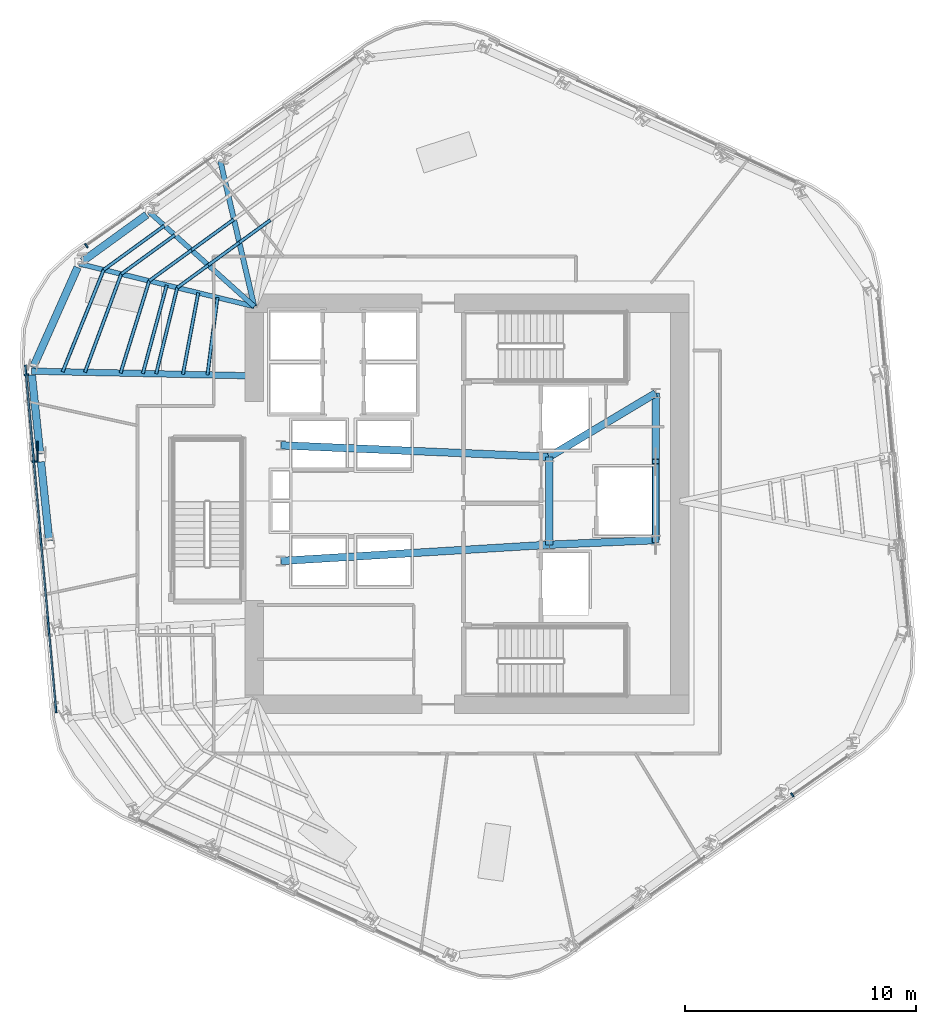
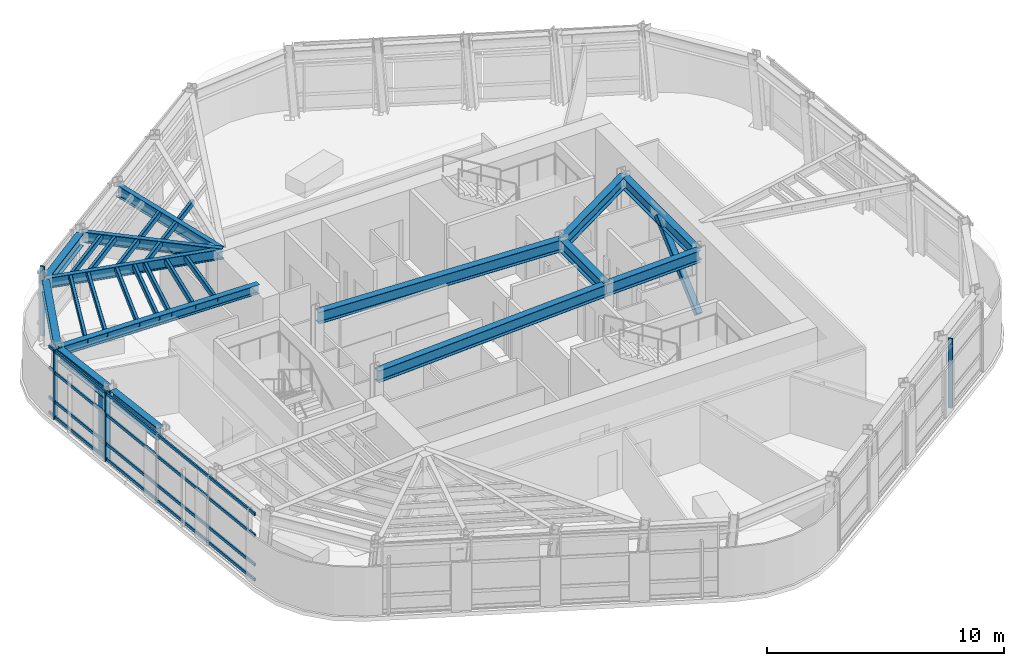
# One storey, part 4 of 14: 24 members, 14 beams, 3 elements without a shape of their own.
"""IFC4 building model written with IfcOpenShell, lengths in metres."""

from ifc_helpers import new_model, si_unit, direction, frame, origin, origin_2d, place, context, subcontext, project, spatial, rectangle, hollow_rectangle, i_section, extrude, material, layer, layer_set, material_profile, profile_set, type_object, element, aggregate, save


model = new_model("IFC4")

# Units and contexts
model_context = context("Model", 3, precision=1e-05, world=origin(), true_north=direction((0.0, 1.0)))
body_context = subcontext(model_context, "Body", "Model", "MODEL_VIEW")
ifc_project = project(units=[si_unit("LENGTHUNIT", "METRE"), si_unit("AREAUNIT", "SQUARE_METRE"), si_unit("VOLUMEUNIT", "CUBIC_METRE"), si_unit("PLANEANGLEUNIT", "RADIAN"), si_unit("MASSUNIT", "GRAM", prefix="KILO")], contexts=[model_context])

# Site, building, storey
site_placement = place(None, origin())
site = spatial("IfcSite", under=ifc_project, at=site_placement, CompositionType="ELEMENT")
building_placement = place(site_placement, origin())
building = spatial("IfcBuilding", under=site, at=building_placement, Name="Valkerne Bourse Tower", CompositionType="ELEMENT")
storey_placement = place(building_placement, frame((0.0, 0.0, 174.199951171875)))
storey = spatial("IfcBuildingStorey", under=building, at=storey_placement, Name="L44", CompositionType="ELEMENT", Elevation=174.199951171875)

# Beams
ifc_material_1 = material(Name="Steel ASTM A992", Category="steel")
ifc_material_profile_1 = material_profile(ifc_material_1, i_section(OverallWidth=0.279296875, OverallDepth=0.46240234375, WebThickness=0.0107421875, FlangeThickness=0.017333984375, FilletRadius=0.017822265625, at=origin_2d()), Name="W18X76")
ifc_profile_set_1 = profile_set([ifc_material_profile_1], Name="Steel ASTM A992")
beam_type_1 = type_object("IfcBeamType", Name="BM-W18X76", PredefinedType="BEAM", material=ifc_profile_set_1)
beam_1_placement = place(storey_placement, frame((27.9677734375, 32.604248046875, 3.348876953125), z_axis=(0.999775046748, -0.021209806715, 0.0), x_axis=(0.021209806715, 0.999775046748, 0.0)))
element("IfcBeam", 1, at=beam_1_placement, inside=storey, type_object=beam_type_1, Name="L44 Radial Composite Floor Beam 10", PredefinedType="BEAM", context=body_context, shape_type="SweptSolid", body=[
    extrude(i_section(OverallWidth=0.279296875, OverallDepth=0.46240234375, WebThickness=0.0107421875, FlangeThickness=0.017333984375, FilletRadius=0.017822265625, at=origin_2d()), origin(), (0.0, 0.0, 1.0), 9.634521484375),
])
ifc_material_profile_2 = material_profile(ifc_material_1, i_section(OverallWidth=0.209228515625, OverallDepth=0.533447265625, WebThickness=0.01025390625, FlangeThickness=0.015625, FilletRadius=0.017822265625, at=origin_2d()), Name="W21X62")
ifc_profile_set_2 = profile_set([ifc_material_profile_2], Name="Steel ASTM A992")
beam_type_2 = type_object("IfcBeamType", Name="BM-W21X62", PredefinedType="JOIST", material=ifc_profile_set_2)
beam_2_placement = place(storey_placement, frame((30.0341796875, 37.2451171875, 3.313232421875), z_axis=(0.971524211148, -0.236940302932, 0.0), x_axis=(0.236940302932, 0.971524211148, 0.0)))
element("IfcBeam", 2, at=beam_2_placement, inside=storey, type_object=beam_type_2, Name="L44 Radial Composite Floor Beam 09", PredefinedType="JOIST", context=body_context, shape_type="SweptSolid", body=[
    extrude(i_section(OverallWidth=0.209228515625, OverallDepth=0.533447265625, WebThickness=0.01025390625, FlangeThickness=0.015625, FilletRadius=0.017822265625, at=origin_2d()), origin(), (0.0, 0.0, 1.0), 7.78759765625),
])
ifc_material_profile_3 = material_profile(ifc_material_1, i_section(OverallWidth=0.2138671875, OverallDepth=0.548583984375, WebThickness=0.0146484375, FlangeThickness=0.023681640625, FilletRadius=0.017822265625, at=origin_2d()), Name="W21X93")
ifc_profile_set_3 = profile_set([ifc_material_profile_3], Name="Steel ASTM A992")
beam_type_3 = type_object("IfcBeamType", Name="BM-W21X93", PredefinedType="BEAM", material=ifc_profile_set_3)
beam_3_placement = place(storey_placement, frame((33.0849609375, 39.461669921875, 3.3056640625), z_axis=(0.743446040497, -0.66879592169, 0.0), x_axis=(0.66879592169, 0.743446040497, 0.0)))
element("IfcBeam", 3, at=beam_3_placement, inside=storey, type_object=beam_type_3, Name="L44 Radial Composite Floor Beam 08", PredefinedType="BEAM", context=body_context, shape_type="SweptSolid", body=[
    extrude(i_section(OverallWidth=0.2138671875, OverallDepth=0.548583984375, WebThickness=0.0146484375, FlangeThickness=0.023681640625, FilletRadius=0.017822265625, at=origin_2d()), origin(), (0.0, 0.0, 1.0), 6.0732421875),
])
ifc_material_profile_4 = material_profile(ifc_material_1, i_section(OverallWidth=0.3251953125, OverallDepth=0.612060546875, WebThickness=0.0126953125, FlangeThickness=0.01904296875, FilletRadius=0.020263671875, at=origin_2d()), Name="W24X104")
ifc_profile_set_4 = profile_set([ifc_material_profile_4], Name="Steel ASTM A992")
beam_type_4 = type_object("IfcBeamType", Name="BM-W24X104", PredefinedType="BEAM", material=ifc_profile_set_4)
beam_4_placement = place(storey_placement, frame((50.35009765625, 25.10009765625, 3.274169921875), z_axis=(0.0, 1.0, 0.0), x_axis=(-1.0, 0.0, 0.0)))
element("IfcBeam", 4, at=beam_4_placement, inside=storey, type_object=beam_type_4, Name="L44 Core Frame Girder CG-CE", PredefinedType="BEAM", context=body_context, shape_type="SweptSolid", body=[
    extrude(i_section(OverallWidth=0.3251953125, OverallDepth=0.612060546875, WebThickness=0.0126953125, FlangeThickness=0.01904296875, FilletRadius=0.020263671875, at=origin_2d()), origin(), (0.0, 0.0, 1.0), 3.7998046875),
])
beam_5_placement = place(storey_placement, frame((50.35009765625, 25.10009765625, 3.274169921875), z_axis=(0.999056558506, 0.043428019819, 0.0), x_axis=(-0.043428019819, 0.999056558506, 0.0)))
element("IfcBeam", 5, at=beam_5_placement, inside=storey, type_object=beam_type_4, Name="L44 Core Frame Girder CG-SE", PredefinedType="BEAM", context=body_context, shape_type="SweptSolid", body=[
    extrude(i_section(OverallWidth=0.3251953125, OverallDepth=0.612060546875, WebThickness=0.0126953125, FlangeThickness=0.01904296875, FilletRadius=0.020263671875, at=origin_2d()), origin(), (0.0, 0.0, 1.0), 4.604248046875),
])
beam_6_placement = place(storey_placement, frame((50.35009765625, 28.89990234375, 3.274169921875), z_axis=(0.858307823492, 0.513135148019, 0.0), x_axis=(-0.513135148019, 0.858307823492, 0.0)))
element("IfcBeam", 6, at=beam_6_placement, inside=storey, type_object=beam_type_4, Name="L44 Core Frame Girder CG-NE", PredefinedType="BEAM", context=body_context, shape_type="SweptSolid", body=[
    extrude(i_section(OverallWidth=0.3251953125, OverallDepth=0.612060546875, WebThickness=0.0126953125, FlangeThickness=0.01904296875, FilletRadius=0.020263671875, at=origin_2d()), origin(), (0.0, 0.0, 1.0), 5.359130859375),
])
beam_7_placement = place(storey_placement, frame((54.949951171875, 25.300048828125, 3.274169921875), z_axis=(0.0, 1.0, 0.0), x_axis=(-1.0, 0.0, 0.0)))
element("IfcBeam", 7, at=beam_7_placement, inside=storey, type_object=beam_type_4, Name="L44 Core Frame Girder CG-EE", PredefinedType="BEAM", context=body_context, shape_type="SweptSolid", body=[
    extrude(i_section(OverallWidth=0.3251953125, OverallDepth=0.612060546875, WebThickness=0.0126953125, FlangeThickness=0.01904296875, FilletRadius=0.020263671875, at=origin_2d()), origin(), (0.0, 0.0, 1.0), 6.349853515625),
])
beam_8_placement = place(storey_placement, frame((38.75, 24.39990234375, 3.274169921875), z_axis=(0.998183228389, 0.060251494276, 0.0), x_axis=(-0.060251494276, 0.998183228389, 0.0)))
element("IfcBeam", 8, at=beam_8_placement, inside=storey, type_object=beam_type_4, Name="L44 Core Frame Girder CG-SW", PredefinedType="BEAM", context=body_context, shape_type="SweptSolid", body=[
    extrude(i_section(OverallWidth=0.3251953125, OverallDepth=0.612060546875, WebThickness=0.0126953125, FlangeThickness=0.01904296875, FilletRadius=0.020263671875, at=origin_2d()), origin(), (0.0, 0.0, 1.0), 11.62109375),
])
beam_9_placement = place(storey_placement, frame((38.75, 29.39990234375, 3.274169921875), z_axis=(0.999072354402, -0.043063101019, 0.0), x_axis=(0.043063101019, 0.999072354402, 0.0)))
element("IfcBeam", 9, at=beam_9_placement, inside=storey, type_object=beam_type_4, Name="L44 Core Frame Girder CG-NW", PredefinedType="BEAM", context=body_context, shape_type="SweptSolid", body=[
    extrude(i_section(OverallWidth=0.3251953125, OverallDepth=0.612060546875, WebThickness=0.0126953125, FlangeThickness=0.01904296875, FilletRadius=0.020263671875, at=origin_2d()), origin(), (0.0, 0.0, 1.0), 11.61083984375),
])
ifc_material_profile_5 = material_profile(ifc_material_1, i_section(OverallWidth=0.32763671875, OverallDepth=0.62744140625, WebThickness=0.0166015625, FlangeThickness=0.027587890625, FilletRadius=0.020263671875, at=origin_2d()), Name="W24X146")
ifc_profile_set_5 = profile_set([ifc_material_profile_5], Name="Steel ASTM A992")
beam_type_5 = type_object("IfcBeamType", Name="BM-W24X146", PredefinedType="SPANDREL", material=ifc_profile_set_5)
beam_10_placement = place(storey_placement, frame((32.947509765625, 39.36181640625, 3.266357421875), z_axis=(-0.809009839624, -0.587795099836, 0.0), x_axis=(0.587795099836, -0.809009839624, 0.0)))
element("IfcBeam", 10, at=beam_10_placement, inside=storey, type_object=beam_type_5, Name="L44 Hexagonal Spandrel Ring Beam 08", PredefinedType="SPANDREL", context=body_context, shape_type="SweptSolid", body=[
    extrude(i_section(OverallWidth=0.32763671875, OverallDepth=0.62744140625, WebThickness=0.0166015625, FlangeThickness=0.027587890625, FilletRadius=0.020263671875, at=origin_2d()), origin(), (0.0, 0.0, 1.0), 3.43115234375),
])
beam_11_placement = place(storey_placement, frame((29.965087890625, 37.08984375, 3.266357421875), z_axis=(-0.406778715233, -0.913526724751, 0.0), x_axis=(0.913526724751, -0.406778715233, 0.0)))
element("IfcBeam", 11, at=beam_11_placement, inside=storey, type_object=beam_type_5, Name="L44 Hexagonal Spandrel Ring Beam 09", PredefinedType="SPANDREL", context=body_context, shape_type="SweptSolid", body=[
    extrude(i_section(OverallWidth=0.32763671875, OverallDepth=0.62744140625, WebThickness=0.0166015625, FlangeThickness=0.027587890625, FilletRadius=0.020263671875, at=origin_2d()), origin(), (0.0, 0.0, 1.0), 4.740234375),
])
for number, where, z_axis, x_axis, name in (
    (12, (27.985595703125, 32.43505859375, 3.266357421875), (0.10453291195, -0.994521427783, 0.0), (0.994521427783, 0.10453291195, 0.0), "L44 Hexagonal Spandrel Ring Beam 10"),
    (13, (28.3798828125, 28.684814453125, 3.266357421875), (0.104462529499, -0.994528823077, 0.0), (0.994528823077, 0.104462529499, 0.0), "L44 Hexagonal Spandrel Ring Beam 11"),
):
    element("IfcBeam", number, at=place(storey_placement, frame(where, z_axis=z_axis, x_axis=x_axis)), inside=storey, type_object=beam_type_5, Name=name, PredefinedType="SPANDREL", context=body_context, shape_type="SweptSolid", body=[
        extrude(i_section(OverallWidth=0.32763671875, OverallDepth=0.62744140625, WebThickness=0.0166015625, FlangeThickness=0.027587890625, FilletRadius=0.020263671875, at=origin_2d()), origin(), (0.0, 0.0, 1.0), 3.430908203125),
    ])
ifc_material_profile_6 = material_profile(ifc_material_1, i_section(OverallWidth=0.228271484375, OverallDepth=0.607177734375, WebThickness=0.01123046875, FlangeThickness=0.017333984375, FilletRadius=0.017822265625, at=origin_2d()), Name="W24X76")
ifc_profile_set_6 = profile_set([ifc_material_profile_6], Name="Steel ASTM A992")
beam_type_6 = type_object("IfcBeamType", Name="BM-W24X76", PredefinedType="JOIST", material=ifc_profile_set_6)
beam_12_placement = place(storey_placement, frame((36.1357421875, 41.67822265625, 3.2763671875), z_axis=(0.227143419882, -0.973861318055, 0.0), x_axis=(0.973861318055, 0.227143419882, 0.0)))
element("IfcBeam", 14, at=beam_12_placement, inside=storey, type_object=beam_type_6, Name="L44 Radial Composite Floor Beam 07", PredefinedType="JOIST", context=body_context, shape_type="SweptSolid", body=[
    extrude(i_section(OverallWidth=0.228271484375, OverallDepth=0.607177734375, WebThickness=0.01123046875, FlangeThickness=0.017333984375, FilletRadius=0.017822265625, at=origin_2d()), origin(), (0.0, 0.0, 1.0), 6.44677734375),
])

# Curtain wall, member
ifc_material_2 = material(Name="Aluminium AA 6063-T6", Category="aluminium")
ifc_layer = layer(ifc_material_2, 0.235107421875)
ifc_layer_set = layer_set([ifc_layer], Name="Aluminium AA 6063-T6")
curtain_wall_type = type_object("IfcCurtainWallType", Name="CW-03", PredefinedType="NOTDEFINED", material=ifc_layer_set)
curtain_wall_1_placement = place(storey_placement, origin())
curtain_wall_1 = element("IfcCurtainWall", 15, at=curtain_wall_1_placement, inside=storey, type_object=curtain_wall_type, Name="L44 Hexagonal Stick Curtain Wall Face 2", PredefinedType="NOTDEFINED")
ifc_material_profile_7 = material_profile(ifc_material_2, rectangle(XDim=0.074951171875, YDim=0.199951171875, at=origin_2d()), Name="CWM-75X200")
ifc_profile_set_7 = profile_set([ifc_material_profile_7], Name="Aluminium AA 6063-T6")
member_type_1 = type_object("IfcMemberType", Name="CW-MUL-220X75", PredefinedType="MULLION", material=ifc_profile_set_7)
member_1_placement = place(storey_placement, frame((30.34521484375, 38.02685546875, 0.0), z_axis=(0.0, 0.0, 1.0), x_axis=(-0.818151573339, -0.575002611335, 0.0)))
member_1 = element("IfcMember", 16, at=member_1_placement, type_object=member_type_1, Name="CW-L44-F2 Jamb Mullion 03B", PredefinedType="MULLION", context=body_context, shape_type="SweptSolid", body=[
    extrude(rectangle(XDim=0.074951171875, YDim=0.199951171875, at=origin_2d()), origin(), (0.0, 0.0, 1.0), 3.580078125),
])
aggregate(curtain_wall_1, [member_1])

# Curtain wall, members
curtain_wall_2_placement = place(storey_placement, origin())
curtain_wall_2 = element("IfcCurtainWall", 17, at=curtain_wall_2_placement, inside=storey, type_object=curtain_wall_type, Name="L44 Hexagonal Stick Curtain Wall Face 3", PredefinedType="NOTDEFINED")
member_2_placement = place(storey_placement, frame((27.7568359375, 32.45068359375, 0.0), z_axis=(0.0, 0.0, 1.0), x_axis=(0.088888247408, -0.996041605292, 0.0)))
member_2 = element("IfcMember", 18, at=member_2_placement, type_object=member_type_1, Name="CW-L44-F3 Jamb Mullion 00A", PredefinedType="MULLION", context=body_context, shape_type="SweptSolid", body=[
    extrude(rectangle(XDim=0.074951171875, YDim=0.199951171875, at=origin_2d()), origin(), (0.0, 0.0, 1.0), 3.580078125),
])
member_3_placement = place(storey_placement, frame((28.092041015625, 28.694580078125, 0.0), z_axis=(0.0, 0.0, 1.0), x_axis=(0.088890595284, -0.996041395761, 0.0)))
member_3 = element("IfcMember", 19, at=member_3_placement, type_object=member_type_1, Name="CW-L44-F3 Jamb Mullion 01A", PredefinedType="MULLION", context=body_context, shape_type="SweptSolid", body=[
    extrude(rectangle(XDim=0.074951171875, YDim=0.199951171875, at=origin_2d()), origin(), (0.0, 0.0, 1.0), 3.580078125),
])

# Curtain wall, member
curtain_wall_3_placement = place(storey_placement, origin())
curtain_wall_3 = element("IfcCurtainWall", 20, at=curtain_wall_3_placement, inside=storey, type_object=curtain_wall_type, Name="L44 Hexagonal Stick Curtain Wall Face 5", PredefinedType="NOTDEFINED")
member_4_placement = place(storey_placement, frame((60.856689453125, 14.287841796875, 0.0), z_axis=(0.0, 0.0, 1.0), x_axis=(0.818151573339, 0.575002611335, 0.0)))
member_4 = element("IfcMember", 21, at=member_4_placement, type_object=member_type_1, Name="CW-L44-F5 Jamb Mullion 03A", PredefinedType="MULLION", context=body_context, shape_type="SweptSolid", body=[
    extrude(rectangle(XDim=0.074951171875, YDim=0.199951171875, at=origin_2d()), origin(), (0.0, 0.0, 1.0), 3.580078125),
])
aggregate(curtain_wall_3, [member_4])

# Member
ifc_material_profile_8 = material_profile(ifc_material_2, rectangle(XDim=0.074951171875, YDim=0.14990234375, at=origin_2d()), Name="CWT-75X150")
ifc_profile_set_8 = profile_set([ifc_material_profile_8], Name="Aluminium AA 6063-T6")
member_type_2 = type_object("IfcMemberType", Name="CW-TRN-180X65", PredefinedType="USERDEFINED", material=ifc_profile_set_8)
member_5_placement = place(storey_placement, frame((27.69970703125, 32.8671875, 0.1201171875), z_axis=(0.088874876199, -0.996042798468, 0.0), x_axis=(0.996042798468, 0.088874876199, 0.0)))
member_5 = element("IfcMember", 22, at=member_5_placement, type_object=member_type_2, Name="CW-L44-F3 Continuous Face Transom 1", ObjectType="TRANSOM", PredefinedType="USERDEFINED", context=body_context, shape_type="SweptSolid", body=[
    extrude(rectangle(XDim=0.074951171875, YDim=0.14990234375, at=origin_2d()), origin(), (0.0, 0.0, 1.0), 15.083740234375),
])

member_6_placement = place(storey_placement, frame((27.69970703125, 32.8671875, 0.900146484375), z_axis=(0.088874876199, -0.996042798468, 0.0), x_axis=(0.996042798468, 0.088874876199, 0.0)))
member_6 = element("IfcMember", 23, at=member_6_placement, type_object=member_type_2, Name="CW-L44-F3 Continuous Face Transom 2", ObjectType="TRANSOM", PredefinedType="USERDEFINED", context=body_context, shape_type="SweptSolid", body=[
    extrude(rectangle(XDim=0.074951171875, YDim=0.14990234375, at=origin_2d()), origin(), (0.0, 0.0, 1.0), 15.083740234375),
])

member_7_placement = place(storey_placement, frame((27.69970703125, 32.8671875, 2.400146484375), z_axis=(0.088874876199, -0.996042798468, 0.0), x_axis=(0.996042798468, 0.088874876199, 0.0)))
member_7 = element("IfcMember", 24, at=member_7_placement, type_object=member_type_2, Name="CW-L44-F3 Continuous Face Transom 3", ObjectType="TRANSOM", PredefinedType="USERDEFINED", context=body_context, shape_type="SweptSolid", body=[
    extrude(rectangle(XDim=0.074951171875, YDim=0.14990234375, at=origin_2d()), origin(), (0.0, 0.0, 1.0), 15.083740234375),
])

member_8_placement = place(storey_placement, frame((27.69970703125, 32.8671875, 3.5), z_axis=(0.088874876199, -0.996042798468, 0.0), x_axis=(0.996042798468, 0.088874876199, 0.0)))
member_8 = element("IfcMember", 25, at=member_8_placement, type_object=member_type_2, Name="CW-L44-F3 Continuous Face Transom 4", ObjectType="TRANSOM", PredefinedType="USERDEFINED", context=body_context, shape_type="SweptSolid", body=[
    extrude(rectangle(XDim=0.074951171875, YDim=0.14990234375, at=origin_2d()), origin(), (0.0, 0.0, 1.0), 15.083740234375),
])

aggregate(curtain_wall_2, [member_5, member_6, member_7, member_8, member_2, member_3])

# Members
ifc_material_3 = material(Name="Bronze Anodised Aluminium AA 6063-T6", Category="aluminium")
ifc_material_profile_9 = material_profile(ifc_material_3, rectangle(XDim=0.070068359375, YDim=0.89990234375, at=origin_2d()), Name="FIN-70X900")
ifc_profile_set_9 = profile_set([ifc_material_profile_9], Name="Bronze Anodised Aluminium AA 6063-T6")
member_type_3 = type_object("IfcMemberType", Name="FIN-SOLAR-900", PredefinedType="USERDEFINED", material=ifc_profile_set_9)
member_9_placement = place(storey_placement, frame((28.23388671875, 29.12890625, 0.004150390625), z_axis=(0.0, 0.0, 1.0), x_axis=(-0.999951397889, -0.009859100393, 0.0)))
element("IfcMember", 26, at=member_9_placement, inside=storey, type_object=member_type_3, Name="L44 Bronze Anodised Solar Fin F3-01", ObjectType="SOLAR_FIN", PredefinedType="USERDEFINED", context=body_context, shape_type="SweptSolid", body=[
    extrude(rectangle(XDim=0.070068359375, YDim=0.89990234375, at=origin_2d()), origin(), (0.0, 0.0, 1.0), 3.57177734375),
])
ifc_material_4 = material(Name="Steel ASTM A500 Grade C", Category="steel")
ifc_material_profile_10 = material_profile(ifc_material_4, hollow_rectangle(XDim=0.14990234375, YDim=0.300048828125, WallThickness=0.012451171875, OuterFilletRadius=0.02490234375, at=origin_2d()), Name="HSS300X150X12.5")
ifc_profile_set_10 = profile_set([ifc_material_profile_10], Name="Steel ASTM A500 Grade C")
member_type_4 = type_object("IfcMemberType", Name="MBR-HSS300X150X12.5", PredefinedType="PURLIN", material=ifc_profile_set_10)
member_10_placement = place(storey_placement, frame((35.178955078125, 35.990478515625, 3.420166015625), z_axis=(-0.184399499537, -0.982851374609, 0.0), x_axis=(0.982851374609, -0.184399499537, 0.0)))
element("IfcMember", 27, at=member_10_placement, inside=storey, type_object=member_type_4, Name="L44 Secondary Composite Floor Purlin I-09", PredefinedType="PURLIN", context=body_context, shape_type="SweptSolid", body=[
    extrude(hollow_rectangle(XDim=0.14990234375, YDim=0.300048828125, WallThickness=0.012451171875, OuterFilletRadius=0.02490234375, at=origin_2d()), origin(), (0.0, 0.0, 1.0), 3.586669921875),
])
member_11_placement = place(storey_placement, frame((38.298095703125, 39.1376953125, 3.420166015625), z_axis=(-0.808984164536, -0.587830436035, 0.0), x_axis=(0.587830436035, -0.808984164536, 0.0)))
element("IfcMember", 28, at=member_11_placement, inside=storey, type_object=member_type_4, Name="L44 Secondary Composite Floor Purlin K-06", PredefinedType="PURLIN", context=body_context, shape_type="SweptSolid", body=[
    extrude(hollow_rectangle(XDim=0.14990234375, YDim=0.300048828125, WallThickness=0.012451171875, OuterFilletRadius=0.02490234375, at=origin_2d()), origin(), (0.0, 0.0, 1.0), 1.6591796875),
])
member_12_placement = place(storey_placement, frame((36.955810546875, 38.162353515625, 3.420166015625), z_axis=(-0.809034999426, -0.587760469668, 0.0), x_axis=(0.587760469668, -0.809034999426, 0.0)))
element("IfcMember", 29, at=member_12_placement, inside=storey, type_object=member_type_4, Name="L44 Secondary Composite Floor Purlin K-07", PredefinedType="PURLIN", context=body_context, shape_type="SweptSolid", body=[
    extrude(hollow_rectangle(XDim=0.14990234375, YDim=0.300048828125, WallThickness=0.012451171875, OuterFilletRadius=0.02490234375, at=origin_2d()), origin(), (0.0, 0.0, 1.0), 1.659423828125),
])
member_13_placement = place(storey_placement, frame((35.61328125, 37.18701171875, 3.420166015625), z_axis=(-0.809054137354, -0.587734125971, 0.0), x_axis=(0.587734125971, -0.809054137354, 0.0)))
element("IfcMember", 30, at=member_13_placement, inside=storey, type_object=member_type_4, Name="L44 Secondary Composite Floor Purlin K-08", PredefinedType="PURLIN", context=body_context, shape_type="SweptSolid", body=[
    extrude(hollow_rectangle(XDim=0.14990234375, YDim=0.300048828125, WallThickness=0.012451171875, OuterFilletRadius=0.02490234375, at=origin_2d()), origin(), (0.0, 0.0, 1.0), 1.6591796875),
])
member_14_placement = place(storey_placement, frame((34.27099609375, 36.2119140625, 3.420166015625), z_axis=(-0.237284736775, -0.971440144164, 0.0), x_axis=(0.971440144164, -0.237284736775, 0.0)))
element("IfcMember", 31, at=member_14_placement, inside=storey, type_object=member_type_4, Name="L44 Secondary Composite Floor Purlin K-09", PredefinedType="PURLIN", context=body_context, shape_type="SweptSolid", body=[
    extrude(hollow_rectangle(XDim=0.14990234375, YDim=0.300048828125, WallThickness=0.012451171875, OuterFilletRadius=0.02490234375, at=origin_2d()), origin(), (0.0, 0.0, 1.0), 3.83154296875),
])
member_15_placement = place(storey_placement, frame((33.817138671875, 36.322509765625, 3.420166015625), z_axis=(-0.261070615625, -0.965319705412, 0.0), x_axis=(0.965319705412, -0.261070615625, 0.0)))
element("IfcMember", 32, at=member_15_placement, inside=storey, type_object=member_type_4, Name="L44 Secondary Composite Floor Purlin M-09", PredefinedType="PURLIN", context=body_context, shape_type="SweptSolid", body=[
    extrude(hollow_rectangle(XDim=0.14990234375, YDim=0.300048828125, WallThickness=0.012451171875, OuterFilletRadius=0.02490234375, at=origin_2d()), origin(), (0.0, 0.0, 1.0), 3.95751953125),
])
member_16_placement = place(storey_placement, frame((34.16845703125, 38.48681640625, 3.420166015625), z_axis=(-0.809015956887, -0.58778668027, 0.0), x_axis=(0.58778668027, -0.809015956887, 0.0)))
element("IfcMember", 33, at=member_16_placement, inside=storey, type_object=member_type_4, Name="L44 Secondary Composite Floor Purlin O-08", PredefinedType="PURLIN", context=body_context, shape_type="SweptSolid", body=[
    extrude(hollow_rectangle(XDim=0.14990234375, YDim=0.300048828125, WallThickness=0.012451171875, OuterFilletRadius=0.02490234375, at=origin_2d()), origin(), (0.0, 0.0, 1.0), 2.865966796875),
])
member_17_placement = place(storey_placement, frame((31.849853515625, 36.80224609375, 3.420166015625), z_axis=(-0.346794513418, -0.937941131129, 0.0), x_axis=(0.937941131129, -0.346794513418, 0.0)))
element("IfcMember", 34, at=member_17_placement, inside=storey, type_object=member_type_4, Name="L44 Secondary Composite Floor Purlin O-09", PredefinedType="PURLIN", context=body_context, shape_type="SweptSolid", body=[
    extrude(hollow_rectangle(XDim=0.14990234375, YDim=0.300048828125, WallThickness=0.012451171875, OuterFilletRadius=0.02490234375, at=origin_2d()), origin(), (0.0, 0.0, 1.0), 4.528076171875),
])
member_18_placement = place(storey_placement, frame((36.721435546875, 39.1669921875, 3.420166015625), z_axis=(-0.808997285557, -0.587812378196, 0.0), x_axis=(0.587812378196, -0.808997285557, 0.0)))
element("IfcMember", 35, at=member_18_placement, inside=storey, type_object=member_type_4, Name="L44 Secondary Composite Floor Purlin Z-07", PredefinedType="PURLIN", context=body_context, shape_type="SweptSolid", body=[
    extrude(hollow_rectangle(XDim=0.14990234375, YDim=0.300048828125, WallThickness=0.012451171875, OuterFilletRadius=0.02490234375, at=origin_2d()), origin(), (0.0, 0.0, 1.0), 2.2626953125),
])
member_19_placement = place(storey_placement, frame((34.890869140625, 37.8369140625, 3.420166015625), z_axis=(-0.809011315444, -0.587793068591, 0.0), x_axis=(0.587793068591, -0.809011315444, 0.0)))
element("IfcMember", 36, at=member_19_placement, inside=storey, type_object=member_type_4, Name="L44 Secondary Composite Floor Purlin Z-08", PredefinedType="PURLIN", context=body_context, shape_type="SweptSolid", body=[
    extrude(hollow_rectangle(XDim=0.14990234375, YDim=0.300048828125, WallThickness=0.012451171875, OuterFilletRadius=0.02490234375, at=origin_2d()), origin(), (0.0, 0.0, 1.0), 2.262451171875),
])
member_20_placement = place(storey_placement, frame((33.060546875, 36.507080078125, 3.420166015625), z_axis=(-0.297085518446, -0.95485087565, 0.0), x_axis=(0.95485087565, -0.297085518446, 0.0)))
element("IfcMember", 37, at=member_20_placement, inside=storey, type_object=member_type_4, Name="L44 Secondary Composite Floor Purlin Z-09", PredefinedType="PURLIN", context=body_context, shape_type="SweptSolid", body=[
    extrude(hollow_rectangle(XDim=0.14990234375, YDim=0.300048828125, WallThickness=0.012451171875, OuterFilletRadius=0.02490234375, at=origin_2d()), origin(), (0.0, 0.0, 1.0), 4.173095703125),
])
member_21_placement = place(storey_placement, frame((36.01123046875, 35.78759765625, 3.420166015625), z_axis=(-0.128701679287, -0.991683355587, 0.0), x_axis=(0.991683355587, -0.128701679287, 0.0)))
element("IfcMember", 38, at=member_21_placement, inside=storey, type_object=member_type_4, Name="L44 Secondary Composite Floor Purlin S-09", PredefinedType="PURLIN", context=body_context, shape_type="SweptSolid", body=[
    extrude(hollow_rectangle(XDim=0.14990234375, YDim=0.300048828125, WallThickness=0.012451171875, OuterFilletRadius=0.02490234375, at=origin_2d()), origin(), (0.0, 0.0, 1.0), 3.372802734375),
])
member_22_placement = place(storey_placement, frame((33.717041015625, 38.89306640625, 3.420166015625), z_axis=(-0.809022455156, -0.587777736099, 0.0), x_axis=(0.587777736099, -0.809022455156, 0.0)))
element("IfcMember", 39, at=member_22_placement, inside=storey, type_object=member_type_4, Name="L44 Secondary Composite Floor Purlin T-08", PredefinedType="PURLIN", context=body_context, shape_type="SweptSolid", body=[
    extrude(hollow_rectangle(XDim=0.14990234375, YDim=0.300048828125, WallThickness=0.012451171875, OuterFilletRadius=0.02490234375, at=origin_2d()), origin(), (0.0, 0.0, 1.0), 3.2431640625),
])
member_23_placement = place(storey_placement, frame((31.09326171875, 36.98681640625, 3.420166015625), z_axis=(-0.373637837134, -0.927574669049, 0.0), x_axis=(0.927574669049, -0.373637837134, 0.0)))
element("IfcMember", 40, at=member_23_placement, inside=storey, type_object=member_type_4, Name="L44 Secondary Composite Floor Purlin T-09", PredefinedType="PURLIN", context=body_context, shape_type="SweptSolid", body=[
    extrude(hollow_rectangle(XDim=0.14990234375, YDim=0.300048828125, WallThickness=0.012451171875, OuterFilletRadius=0.02490234375, at=origin_2d()), origin(), (0.0, 0.0, 1.0), 4.755615234375),
])
ifc_material_profile_11 = material_profile(ifc_material_4, hollow_rectangle(XDim=0.300048828125, YDim=0.300048828125, WallThickness=0.012451171875, OuterFilletRadius=0.02490234375, at=origin_2d()), Name="HSS300X300X12.5")
ifc_profile_set_11 = profile_set([ifc_material_profile_11], Name="Steel ASTM A500 Grade C")
member_type_5 = type_object("IfcMemberType", Name="MBR-HSS300X300X12.5", PredefinedType="STRUT", material=ifc_profile_set_11)
member_24_placement = place(storey_placement, frame((54.949951171875, 25.300048828125, 0.219970703125), z_axis=(0.0, 0.743915376654, 0.668273830385), x_axis=(-1.0, 0.0, 0.0)))
element("IfcMember", 41, at=member_24_placement, inside=storey, type_object=member_type_5, Name="L44 Core Service Pier Lateral Brace", PredefinedType="STRUT", context=body_context, shape_type="SweptSolid", body=[
    extrude(hollow_rectangle(XDim=0.300048828125, YDim=0.300048828125, WallThickness=0.012451171875, OuterFilletRadius=0.02490234375, at=origin_2d()), origin(), (0.0, 0.0, 1.0), 4.5703125),
])

save(model, "model.ifc")
